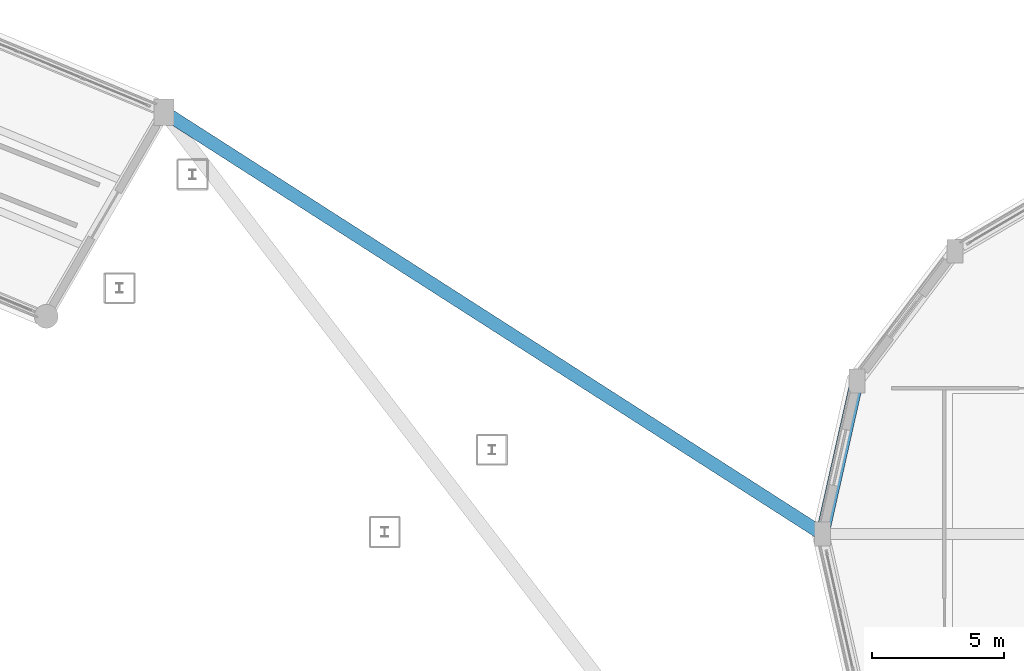
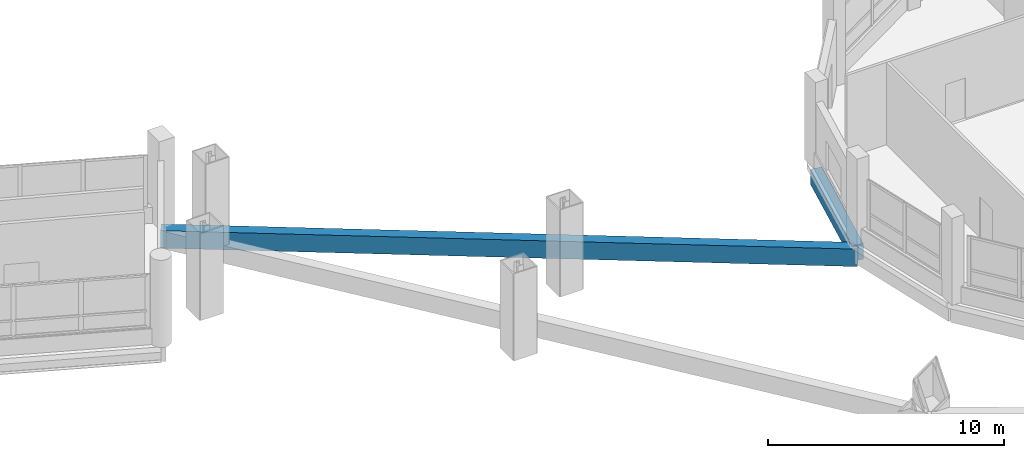
# One storey, part 58 of 129: 2 beams.
"""IFC4 building model written with IfcOpenShell, lengths in metres."""

from ifc_helpers import new_model, si_unit, direction, frame, origin, origin_2d, place, context, subcontext, project, spatial, rectangle, extrude, material, material_profile, profile_set, type_object, element, save


model = new_model("IFC4")

# Units and contexts
model_context = context("Model", 3, precision=1e-05, world=origin(), true_north=direction((0.0, 1.0)))
body_context = subcontext(model_context, "Body", "Model", "MODEL_VIEW")
ifc_project = project(units=[si_unit("LENGTHUNIT", "METRE"), si_unit("AREAUNIT", "SQUARE_METRE"), si_unit("VOLUMEUNIT", "CUBIC_METRE"), si_unit("PLANEANGLEUNIT", "RADIAN"), si_unit("MASSUNIT", "GRAM", prefix="KILO")], contexts=[model_context])

# Site, building, storey
site_placement = place(None, origin())
site = spatial("IfcSite", under=ifc_project, at=site_placement, CompositionType="ELEMENT")
building_placement = place(site_placement, origin())
building = spatial("IfcBuilding", under=site, at=building_placement, Name="Vespera Passage Community Centre", CompositionType="ELEMENT")
storey_placement = place(building_placement, origin())
storey = spatial("IfcBuildingStorey", under=building, at=storey_placement, Name="L00", CompositionType="ELEMENT", Elevation=0.0)

# Beams
ifc_material_1 = material(Name="Concrete f'c 45 MPa", Category="concrete")
ifc_material_profile_1 = material_profile(ifc_material_1, rectangle(XDim=0.5, YDim=0.89990234375, at=origin_2d()), Name="RC500X900")
ifc_profile_set_1 = profile_set([ifc_material_profile_1], Name="Concrete f'c 45 MPa")
beam_type_1 = type_object("IfcBeamType", Name="BM-G-500X900", PredefinedType="BEAM", material=ifc_profile_set_1)
beam_1_placement = place(storey_placement, frame((101.050048828125, 105.423828125, -0.7900390625), z_axis=(0.841964797062, -0.53953246474, 0.0), x_axis=(0.53953246474, 0.841964797062, 0.0)))
element("IfcBeam", 1, at=beam_1_placement, inside=storey, type_object=beam_type_1, Name="Subgrade Structural Tie Girder 10", PredefinedType="BEAM", context=body_context, shape_type="SweptSolid", body=[
    extrude(rectangle(XDim=0.5, YDim=0.89990234375, at=origin_2d()), origin(), (0.0, 0.0, 1.0), 29.51416015625),
])
ifc_material_2 = material(Name="Concrete f'c 35 MPa", Category="concrete")
ifc_material_profile_2 = material_profile(ifc_material_2, rectangle(XDim=0.5, YDim=0.800048828125, at=origin_2d()), Name="RC500X800")
ifc_profile_set_2 = profile_set([ifc_material_profile_2], Name="Concrete f'c 35 MPa")
beam_type_2 = type_object("IfcBeamType", Name="BM-SP-500X800E", PredefinedType="SPANDREL", material=ifc_profile_set_2)
beam_2_placement = place(storey_placement, frame((127.20166015625, 95.278564453125, -0.679931640625), z_axis=(-0.219766204697, -0.9755525692, 0.0), x_axis=(0.9755525692, -0.219766204697, 0.0)))
element("IfcBeam", 2, at=beam_2_placement, inside=storey, type_object=beam_type_2, Name="V2 L00 Perimeter Spandrel 8", PredefinedType="SPANDREL", context=body_context, shape_type="SweptSolid", body=[
    extrude(rectangle(XDim=0.5, YDim=0.800048828125, at=origin_2d()), origin(), (0.0, 0.0, 1.0), 5.92333984375),
])

save(model, "model.ifc")
